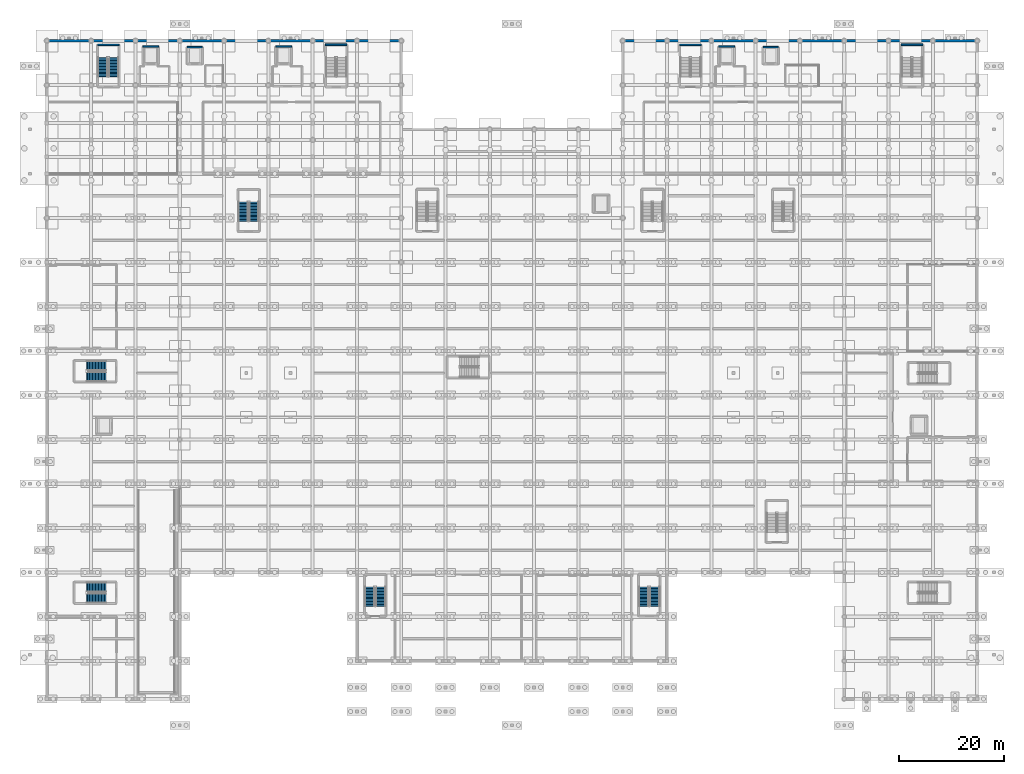
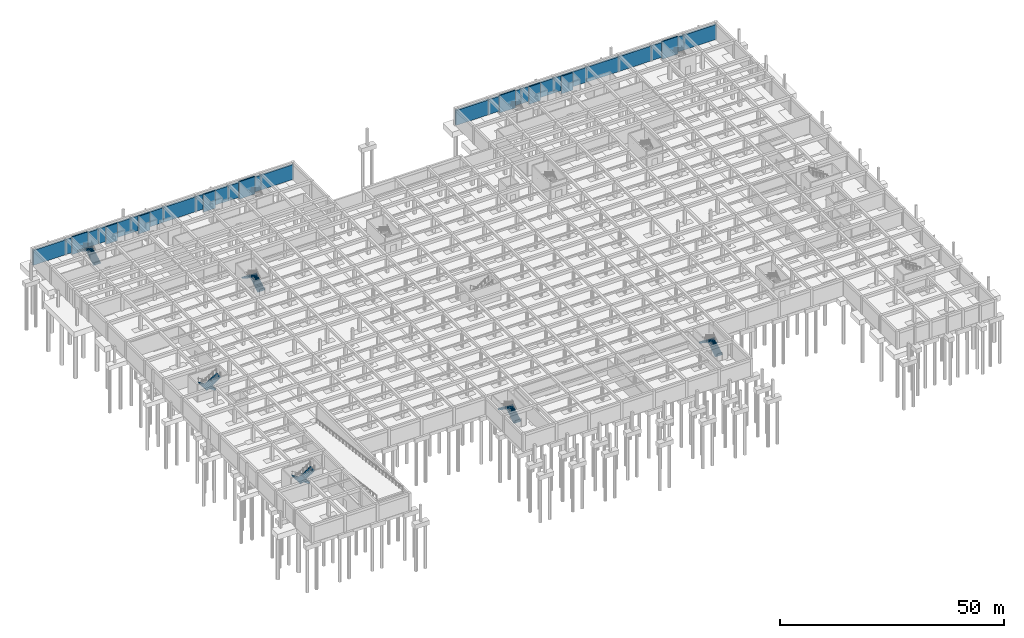
# One storey, part 31 of 51: 25 walls, 12 stair flights, 6 elements without a shape of their own.
"""IFC4 building model written with IfcOpenShell, lengths in metres."""

from ifc_helpers import new_model, si_unit, direction, frame, frame_2d, origin, place, context, subcontext, project, spatial, polyline, rectangle, outline, extrude, material, layer, layer_set, type_object, element, aggregate, save


model = new_model("IFC4")

# Units and contexts
model_context = context("Model", 3, precision=1e-05, world=origin(), true_north=direction((0.0, 1.0)))
body_context = subcontext(model_context, "Body", "Model", "MODEL_VIEW")
ifc_project = project(units=[si_unit("LENGTHUNIT", "METRE"), si_unit("AREAUNIT", "SQUARE_METRE"), si_unit("VOLUMEUNIT", "CUBIC_METRE"), si_unit("PLANEANGLEUNIT", "RADIAN"), si_unit("MASSUNIT", "GRAM", prefix="KILO")], contexts=[model_context])

# Site, building, storey
site_placement = place(None, origin())
site = spatial("IfcSite", under=ifc_project, at=site_placement, CompositionType="ELEMENT")
building_placement = place(site_placement, origin())
building = spatial("IfcBuilding", under=site, at=building_placement, Name="Varncliffe General Hospital", CompositionType="ELEMENT")
storey_placement = place(building_placement, frame((0.0, 0.0, -4.800048828125)))
storey = spatial("IfcBuildingStorey", under=building, at=storey_placement, Name="B1", CompositionType="ELEMENT", Elevation=-4.800048828125)

# Walls
ifc_material_1 = material(Name="Concrete C40/50 (CSA A23.1 40 MPa)", Category="concrete")
ifc_layer_1 = layer(ifc_material_1, 0.419921875)
ifc_layer_set_1 = layer_set([ifc_layer_1], Name="Concrete C40/50 (CSA A23.1 40 MPa)")
wall_type_1 = type_object("IfcWallType", Name="Exterior Insulated Stucco Wall EW28 (420mm)", PredefinedType="SOLIDWALL", material=ifc_layer_set_1)
wall_1_placement = place(storey_placement, frame((0.0, 124.800048828125, 0.0), z_axis=(0.0, 0.0, 1.0), x_axis=(1.0, 0.0, 0.0)))
element("IfcWall", 1, at=wall_1_placement, inside=storey, type_object=wall_type_1, Name="B1 Perimeter Retaining Wall 11", PredefinedType="SOLIDWALL", context=body_context, shape_type="SweptSolid", body=[
    extrude(rectangle(XDim=8.39990234375, YDim=0.419921875, at=frame_2d((4.199951171875, 0.0))), origin(), (0.0, 0.0, 1.0), 4.050048828125),
])
wall_2_placement = place(storey_placement, frame((8.39990234375, 124.800048828125, 0.0), z_axis=(0.0, 0.0, 1.0), x_axis=(1.0, 0.0, 0.0)))
element("IfcWall", 2, at=wall_2_placement, inside=storey, type_object=wall_type_1, Name="B1 Perimeter Retaining Wall 12", PredefinedType="SOLIDWALL", context=body_context, shape_type="SweptSolid", body=[
    extrude(rectangle(XDim=8.400146484375, YDim=0.419921875, at=frame_2d((4.2001953125, 0.0))), origin(), (0.0, 0.0, 1.0), 4.050048828125),
])
wall_3_placement = place(storey_placement, frame((16.800048828125, 124.800048828125, 0.0), z_axis=(0.0, 0.0, 1.0), x_axis=(1.0, 0.0, 0.0)))
element("IfcWall", 3, at=wall_3_placement, inside=storey, type_object=wall_type_1, Name="B1 Perimeter Retaining Wall 13", PredefinedType="SOLIDWALL", context=body_context, shape_type="SweptSolid", body=[
    extrude(rectangle(XDim=8.39990234375, YDim=0.419921875, at=frame_2d((4.199951171875, 0.0))), origin(), (0.0, 0.0, 1.0), 4.050048828125),
])
wall_4_placement = place(storey_placement, frame((25.199951171875, 124.800048828125, 0.0), z_axis=(0.0, 0.0, 1.0), x_axis=(1.0, 0.0, 0.0)))
element("IfcWall", 4, at=wall_4_placement, inside=storey, type_object=wall_type_1, Name="B1 Perimeter Retaining Wall 14", PredefinedType="SOLIDWALL", context=body_context, shape_type="SweptSolid", body=[
    extrude(rectangle(XDim=8.400146484375, YDim=0.419921875, at=frame_2d((4.2001953125, 0.0))), origin(), (0.0, 0.0, 1.0), 4.050048828125),
])
for number, where, z_axis, x_axis, name in (
    (5, (33.60009765625, 124.800048828125, 0.0), (0.0, 0.0, 1.0), (1.0, 0.0, 0.0), "B1 Perimeter Retaining Wall 15"),
    (6, (42.0, 124.800048828125, 0.0), (0.0, 0.0, 1.0), (1.0, 0.0, 0.0), "B1 Perimeter Retaining Wall 16"),
):
    element("IfcWall", number, at=place(storey_placement, frame(where, z_axis=z_axis, x_axis=x_axis)), inside=storey, type_object=wall_type_1, Name=name, PredefinedType="SOLIDWALL", context=body_context, shape_type="SweptSolid", body=[
        extrude(rectangle(XDim=8.39990234375, YDim=0.419921875, at=frame_2d((4.199951171875, 0.0))), origin(), (0.0, 0.0, 1.0), 4.050048828125),
    ])
wall_5_placement = place(storey_placement, frame((50.39990234375, 124.800048828125, 0.0), z_axis=(0.0, 0.0, 1.0), x_axis=(1.0, 0.0, 0.0)))
element("IfcWall", 7, at=wall_5_placement, inside=storey, type_object=wall_type_1, Name="B1 Perimeter Retaining Wall 17", PredefinedType="SOLIDWALL", context=body_context, shape_type="SweptSolid", body=[
    extrude(rectangle(XDim=8.400146484375, YDim=0.419921875, at=frame_2d((4.2001953125, 0.0))), origin(), (0.0, 0.0, 1.0), 4.050048828125),
])
wall_6_placement = place(storey_placement, frame((58.800048828125, 124.800048828125, 0.0), z_axis=(0.0, 0.0, 1.0), x_axis=(1.0, 0.0, 0.0)))
element("IfcWall", 8, at=wall_6_placement, inside=storey, type_object=wall_type_1, Name="B1 Perimeter Retaining Wall 18", PredefinedType="SOLIDWALL", context=body_context, shape_type="SweptSolid", body=[
    extrude(rectangle(XDim=8.39990234375, YDim=0.419921875, at=frame_2d((4.199951171875, 0.0))), origin(), (0.0, 0.0, 1.0), 4.050048828125),
])
wall_7_placement = place(storey_placement, frame((109.199951171875, 124.800048828125, 0.0), z_axis=(0.0, 0.0, 1.0), x_axis=(1.0, 0.0, 0.0)))
element("IfcWall", 9, at=wall_7_placement, inside=storey, type_object=wall_type_1, Name="B1 Perimeter Retaining Wall 28", PredefinedType="SOLIDWALL", context=body_context, shape_type="SweptSolid", body=[
    extrude(rectangle(XDim=8.400146484375, YDim=0.419921875, at=frame_2d((4.2001953125, 0.0))), origin(), (0.0, 0.0, 1.0), 4.050048828125),
])
for number, where, z_axis, x_axis, name in (
    (10, (117.60009765625, 124.800048828125, 0.0), (0.0, 0.0, 1.0), (1.0, 0.0, 0.0), "B1 Perimeter Retaining Wall 29"),
    (11, (126.0, 124.800048828125, 0.0), (0.0, 0.0, 1.0), (1.0, 0.0, 0.0), "B1 Perimeter Retaining Wall 30"),
):
    element("IfcWall", number, at=place(storey_placement, frame(where, z_axis=z_axis, x_axis=x_axis)), inside=storey, type_object=wall_type_1, Name=name, PredefinedType="SOLIDWALL", context=body_context, shape_type="SweptSolid", body=[
        extrude(rectangle(XDim=8.39990234375, YDim=0.419921875, at=frame_2d((4.199951171875, 0.0))), origin(), (0.0, 0.0, 1.0), 4.050048828125),
    ])
wall_8_placement = place(storey_placement, frame((134.39990234375, 124.800048828125, 0.0), z_axis=(0.0, 0.0, 1.0), x_axis=(1.0, 0.0, 0.0)))
element("IfcWall", 12, at=wall_8_placement, inside=storey, type_object=wall_type_1, Name="B1 Perimeter Retaining Wall 31", PredefinedType="SOLIDWALL", context=body_context, shape_type="SweptSolid", body=[
    extrude(rectangle(XDim=8.400146484375, YDim=0.419921875, at=frame_2d((4.2001953125, 0.0))), origin(), (0.0, 0.0, 1.0), 4.050048828125),
])
wall_9_placement = place(storey_placement, frame((142.800048828125, 124.800048828125, 0.0), z_axis=(0.0, 0.0, 1.0), x_axis=(1.0, 0.0, 0.0)))
element("IfcWall", 13, at=wall_9_placement, inside=storey, type_object=wall_type_1, Name="B1 Perimeter Retaining Wall 32", PredefinedType="SOLIDWALL", context=body_context, shape_type="SweptSolid", body=[
    extrude(rectangle(XDim=8.39990234375, YDim=0.419921875, at=frame_2d((4.199951171875, 0.0))), origin(), (0.0, 0.0, 1.0), 4.050048828125),
])
wall_10_placement = place(storey_placement, frame((151.199951171875, 124.800048828125, 0.0), z_axis=(0.0, 0.0, 1.0), x_axis=(1.0, 0.0, 0.0)))
element("IfcWall", 14, at=wall_10_placement, inside=storey, type_object=wall_type_1, Name="B1 Perimeter Retaining Wall 33", PredefinedType="SOLIDWALL", context=body_context, shape_type="SweptSolid", body=[
    extrude(rectangle(XDim=8.400146484375, YDim=0.419921875, at=frame_2d((4.2001953125, 0.0))), origin(), (0.0, 0.0, 1.0), 4.050048828125),
])
for number, where, z_axis, x_axis, name in (
    (15, (159.60009765625, 124.800048828125, 0.0), (0.0, 0.0, 1.0), (1.0, 0.0, 0.0), "B1 Perimeter Retaining Wall 34"),
    (16, (168.0, 124.800048828125, 0.0), (0.0, 0.0, 1.0), (1.0, 0.0, 0.0), "B1 Perimeter Retaining Wall 35"),
):
    element("IfcWall", number, at=place(storey_placement, frame(where, z_axis=z_axis, x_axis=x_axis)), inside=storey, type_object=wall_type_1, Name=name, PredefinedType="SOLIDWALL", context=body_context, shape_type="SweptSolid", body=[
        extrude(rectangle(XDim=8.39990234375, YDim=0.419921875, at=frame_2d((4.199951171875, 0.0))), origin(), (0.0, 0.0, 1.0), 4.050048828125),
    ])
ifc_layer_2 = layer(ifc_material_1, 0.300048828125)
ifc_layer_set_2 = layer_set([ifc_layer_2], Name="Concrete C40/50 (CSA A23.1 40 MPa)")
wall_type_2 = type_object("IfcWallType", Name="Reinforced Concrete Core Shear Wall CW12 (300mm)", PredefinedType="SHEAR", material=ifc_layer_set_2)
wall_11_placement = place(storey_placement, frame((56.89990234375, 124.050048828125, 0.0), z_axis=(0.0, 0.0, 1.0), x_axis=(-1.0, 0.0, 0.0)))
element("IfcWall", 17, at=wall_11_placement, inside=storey, type_object=wall_type_2, Name="B1 ST02 Core Shear Wall F", PredefinedType="SHEAR", context=body_context, shape_type="SweptSolid", body=[
    extrude(rectangle(XDim=4.099853515625, YDim=0.300048828125, at=frame_2d((2.0498046875, 0.0))), origin(), (0.0, 0.0, 1.0), 4.800048828125),
])
wall_12_placement = place(storey_placement, frame((166.10009765625, 124.050048828125, 0.0), z_axis=(0.0, 0.0, 1.0), x_axis=(-1.0, 0.0, 0.0)))
element("IfcWall", 18, at=wall_12_placement, inside=storey, type_object=wall_type_2, Name="B1 ST04 Core Shear Wall F", PredefinedType="SHEAR", context=body_context, shape_type="SweptSolid", body=[
    extrude(rectangle(XDim=4.10009765625, YDim=0.300048828125, at=frame_2d((2.050048828125, 0.0))), origin(), (0.0, 0.0, 1.0), 4.800048828125),
])
for number, where, z_axis, x_axis, name in (
    (19, (21.199951171875, 123.699951171875, 0.0), (0.0, 0.0, 1.0), (-1.0, 0.0, 0.0), "B1 LF01 Elevator Shaft Wall North"),
    (20, (46.39990234375, 123.699951171875, 0.0), (0.0, 0.0, 1.0), (-1.0, 0.0, 0.0), "B1 LF02 Elevator Shaft Wall North"),
    (21, (130.39990234375, 123.699951171875, 0.0), (0.0, 0.0, 1.0), (-1.0, 0.0, 0.0), "B1 LF03 Elevator Shaft Wall North"),
):
    element("IfcWall", number, at=place(storey_placement, frame(where, z_axis=z_axis, x_axis=x_axis)), inside=storey, type_object=wall_type_2, Name=name, PredefinedType="SHEAR", context=body_context, shape_type="SweptSolid", body=[
        extrude(rectangle(XDim=3.0, YDim=0.300048828125, at=frame_2d((1.5, 0.0))), origin(), (0.0, 0.0, 1.0), 4.800048828125),
    ])
for number, where, z_axis, x_axis, name in (
    (22, (29.5, 123.60009765625, 0.0), (0.0, 0.0, 1.0), (-1.0, 0.0, 0.0), "B1 LF04 Elevator Shaft Wall North"),
    (23, (138.699951171875, 123.60009765625, 0.0), (0.0, 0.0, 1.0), (-1.0, 0.0, 0.0), "B1 LF05 Elevator Shaft Wall North"),
):
    element("IfcWall", number, at=place(storey_placement, frame(where, z_axis=z_axis, x_axis=x_axis)), inside=storey, type_object=wall_type_2, Name=name, PredefinedType="SHEAR", context=body_context, shape_type="SweptSolid", body=[
        extrude(rectangle(XDim=2.89990234375, YDim=0.300048828125, at=frame_2d((1.449951171875, 0.0))), origin(), (0.0, 0.0, 1.0), 4.800048828125),
    ])
ifc_layer_3 = layer(ifc_material_1, 0.280029296875)
ifc_layer_set_3 = layer_set([ifc_layer_3], Name="Concrete C40/50 (CSA A23.1 40 MPa)")
wall_type_3 = type_object("IfcWallType", Name="Reinforced Concrete Core Shear Wall CW13 (280mm)", PredefinedType="SHEAR", material=ifc_layer_set_3)
wall_13_placement = place(storey_placement, frame((13.68994140625, 124.0400390625, 0.0), z_axis=(0.0, 0.0, 1.0), x_axis=(-1.0, 0.0, 0.0)))
element("IfcWall", 24, at=wall_13_placement, inside=storey, type_object=wall_type_3, Name="B1 ST01 Core Shear Wall F", PredefinedType="SHEAR", context=body_context, shape_type="SweptSolid", body=[
    extrude(rectangle(XDim=4.079833984375, YDim=0.280029296875, at=frame_2d((2.0400390625, 0.0))), origin(), (0.0, 0.0, 1.0), 4.800048828125),
])
wall_14_placement = place(storey_placement, frame((124.090087890625, 124.0400390625, 0.0), z_axis=(0.0, 0.0, 1.0), x_axis=(-1.0, 0.0, 0.0)))
element("IfcWall", 25, at=wall_14_placement, inside=storey, type_object=wall_type_3, Name="B1 ST03 Core Shear Wall F", PredefinedType="SHEAR", context=body_context, shape_type="SweptSolid", body=[
    extrude(rectangle(XDim=4.080078125, YDim=0.280029296875, at=frame_2d((2.0400390625, 0.0))), origin(), (0.0, 0.0, 1.0), 4.800048828125),
])

# Stair, stair flights
ifc_material_2 = material(Name="Concrete C35/45 (CSA A23.1 35 MPa)", Category="concrete")
stair_type = type_object("IfcStairType", Name="Hospital Stair Assembly ST-T01 (1850w-4800h)", PredefinedType="TWO_STRAIGHT_RUN_STAIR", material=ifc_material_2)
stair_1_placement = place(storey_placement, origin())
stair_1 = element("IfcStair", 26, at=stair_1_placement, inside=storey, type_object=stair_type, Name="B1 North-West Ward Exit Stair 1", PredefinedType="TWO_STRAIGHT_RUN_STAIR")
stair_flight_type = type_object("IfcStairFlightType", Name="Hospital Stair Flight FL-T01 (1850w-4800h)", PredefinedType="STRAIGHT", material=ifc_material_2)
stair_flight_1_placement = place(storey_placement, frame((12.675048828125, 118.0, 0.0), z_axis=(0.0, 0.0, 1.0), x_axis=(0.0, 1.0, 0.0)))
stair_flight_1 = element("IfcStairFlight", 27, at=stair_flight_1_placement, type_object=stair_flight_type, Name="ST01 flight 1", NumberOfRisers=14, NumberOfTreads=13, PredefinedType="STRAIGHT", RiserHeight=0.171428571, TreadLength=0.28, context=body_context, shape_type="SweptSolid", body=[
    extrude(outline(polyline([(-0.02490234375, -0.14990234375), (-0.02490234375, 0.0), (0.0, 0.0), (0.0, 0.17138671875), (0.280029296875, 0.17138671875), (0.280029296875, 0.3427734375), (0.56005859375, 0.3427734375), (0.56005859375, 0.514404296875), (0.840087890625, 0.514404296875), (0.840087890625, 0.685791015625), (1.1201171875, 0.685791015625), (1.1201171875, 0.857177734375), (1.39990234375, 0.857177734375), (1.39990234375, 1.028564453125), (1.679931640625, 1.028564453125), (1.679931640625, 1.199951171875), (1.9599609375, 1.199951171875), (1.9599609375, 1.371337890625), (2.239990234375, 1.371337890625), (2.239990234375, 1.54296875), (2.52001953125, 1.54296875), (2.52001953125, 1.71435546875), (2.800048828125, 1.71435546875), (2.800048828125, 1.8857421875), (3.080078125, 1.8857421875), (3.080078125, 2.05712890625), (3.360107421875, 2.05712890625), (3.360107421875, 2.228515625), (3.639892578125, 2.228515625), (3.639892578125, 2.39990234375), (3.664794921875, 2.39990234375), (3.664794921875, 2.25), (3.639892578125, 2.052734375), (0.287109375, -0.14990234375), (-0.02490234375, -0.14990234375)])), frame((0.0, 0.925048828125, 0.0), z_axis=(0.0, -1.0, 0.0), x_axis=(1.0, 0.0, 0.0)), (0.0, 0.0, 1.0), 1.85009765625),
])
stair_flight_2_placement = place(storey_placement, frame((10.625, 121.639892578125, 2.400146484375), z_axis=(0.0, 0.0, 1.0), x_axis=(0.0, -1.0, 0.0)))
stair_flight_2 = element("IfcStairFlight", 28, at=stair_flight_2_placement, type_object=stair_flight_type, Name="ST01 flight 2", NumberOfRisers=14, NumberOfTreads=13, PredefinedType="STRAIGHT", RiserHeight=0.171428571, TreadLength=0.28, context=body_context, shape_type="SweptSolid", body=[
    extrude(outline(polyline([(-0.02490234375, -0.14990234375), (-0.02490234375, 0.0), (0.0, 0.0), (0.0, 0.17138671875), (0.280029296875, 0.17138671875), (0.280029296875, 0.3427734375), (0.56005859375, 0.3427734375), (0.56005859375, 0.514404296875), (0.840087890625, 0.514404296875), (0.840087890625, 0.685791015625), (1.1201171875, 0.685791015625), (1.1201171875, 0.857177734375), (1.39990234375, 0.857177734375), (1.39990234375, 1.028564453125), (1.679931640625, 1.028564453125), (1.679931640625, 1.199951171875), (1.9599609375, 1.199951171875), (1.9599609375, 1.371337890625), (2.239990234375, 1.371337890625), (2.239990234375, 1.54296875), (2.52001953125, 1.54296875), (2.52001953125, 1.71435546875), (2.800048828125, 1.71435546875), (2.800048828125, 1.8857421875), (3.080078125, 1.8857421875), (3.080078125, 2.05712890625), (3.360107421875, 2.05712890625), (3.360107421875, 2.228515625), (3.639892578125, 2.228515625), (3.639892578125, 2.39990234375), (3.664794921875, 2.39990234375), (3.664794921875, 2.25), (3.639892578125, 2.052734375), (0.287109375, -0.14990234375), (-0.02490234375, -0.14990234375)])), frame((0.0, 0.925048828125, 0.0), z_axis=(0.0, -1.0, 0.0), x_axis=(1.0, 0.0, 0.0)), (0.0, 0.0, 1.0), 1.85009765625),
])
aggregate(stair_1, [stair_flight_1, stair_flight_2])

stair_2_placement = place(storey_placement, origin())
stair_2 = element("IfcStair", 29, at=stair_2_placement, inside=storey, type_object=stair_type, Name="B1 Diagnostic West Exit Stair 5", PredefinedType="TWO_STRAIGHT_RUN_STAIR")
stair_flight_3_placement = place(storey_placement, frame((11.199951171875, 63.175048828125, 0.0), z_axis=(0.0, 0.0, 1.0), x_axis=(-1.0, 0.0, 0.0)))
stair_flight_3 = element("IfcStairFlight", 30, at=stair_flight_3_placement, type_object=stair_flight_type, Name="ST05 flight 1", NumberOfRisers=14, NumberOfTreads=13, PredefinedType="STRAIGHT", RiserHeight=0.171428571, TreadLength=0.28, context=body_context, shape_type="SweptSolid", body=[
    extrude(outline(polyline([(-0.02490234375, -0.14990234375), (-0.02490234375, 0.0), (0.0, 0.0), (0.0, 0.17138671875), (0.280029296875, 0.17138671875), (0.280029296875, 0.3427734375), (0.56005859375, 0.3427734375), (0.56005859375, 0.514404296875), (0.840087890625, 0.514404296875), (0.840087890625, 0.685791015625), (1.1201171875, 0.685791015625), (1.1201171875, 0.857177734375), (1.39990234375, 0.857177734375), (1.39990234375, 1.028564453125), (1.679931640625, 1.028564453125), (1.679931640625, 1.199951171875), (1.9599609375, 1.199951171875), (1.9599609375, 1.371337890625), (2.239990234375, 1.371337890625), (2.239990234375, 1.54296875), (2.52001953125, 1.54296875), (2.52001953125, 1.71435546875), (2.800048828125, 1.71435546875), (2.800048828125, 1.8857421875), (3.080078125, 1.8857421875), (3.080078125, 2.05712890625), (3.360107421875, 2.05712890625), (3.360107421875, 2.228515625), (3.639892578125, 2.228515625), (3.639892578125, 2.39990234375), (3.664794921875, 2.39990234375), (3.664794921875, 2.25), (3.639892578125, 2.052734375), (0.287109375, -0.14990234375), (-0.02490234375, -0.14990234375)])), frame((0.0, 0.925048828125, 0.0), z_axis=(0.0, -1.0, 0.0), x_axis=(1.0, 0.0, 0.0)), (0.0, 0.0, 1.0), 1.85009765625),
])
stair_flight_4_placement = place(storey_placement, frame((7.56005859375, 61.125, 2.400146484375), z_axis=(0.0, 0.0, 1.0), x_axis=(1.0, 0.0, 0.0)))
stair_flight_4 = element("IfcStairFlight", 31, at=stair_flight_4_placement, type_object=stair_flight_type, Name="ST05 flight 2", NumberOfRisers=14, NumberOfTreads=13, PredefinedType="STRAIGHT", RiserHeight=0.171428571, TreadLength=0.28, context=body_context, shape_type="SweptSolid", body=[
    extrude(outline(polyline([(-0.02490234375, -0.14990234375), (-0.02490234375, 0.0), (0.0, 0.0), (0.0, 0.17138671875), (0.280029296875, 0.17138671875), (0.280029296875, 0.3427734375), (0.56005859375, 0.3427734375), (0.56005859375, 0.514404296875), (0.840087890625, 0.514404296875), (0.840087890625, 0.685791015625), (1.1201171875, 0.685791015625), (1.1201171875, 0.857177734375), (1.39990234375, 0.857177734375), (1.39990234375, 1.028564453125), (1.679931640625, 1.028564453125), (1.679931640625, 1.199951171875), (1.9599609375, 1.199951171875), (1.9599609375, 1.371337890625), (2.239990234375, 1.371337890625), (2.239990234375, 1.54296875), (2.52001953125, 1.54296875), (2.52001953125, 1.71435546875), (2.800048828125, 1.71435546875), (2.800048828125, 1.8857421875), (3.080078125, 1.8857421875), (3.080078125, 2.05712890625), (3.360107421875, 2.05712890625), (3.360107421875, 2.228515625), (3.639892578125, 2.228515625), (3.639892578125, 2.39990234375), (3.664794921875, 2.39990234375), (3.664794921875, 2.25), (3.639892578125, 2.052734375), (0.287109375, -0.14990234375), (-0.02490234375, -0.14990234375)])), frame((0.0, 0.925048828125, 0.0), z_axis=(0.0, -1.0, 0.0), x_axis=(1.0, 0.0, 0.0)), (0.0, 0.0, 1.0), 1.85009765625),
])
aggregate(stair_2, [stair_flight_3, stair_flight_4])

stair_3_placement = place(storey_placement, origin())
stair_3 = element("IfcStair", 32, at=stair_3_placement, inside=storey, type_object=stair_type, Name="B1 Emergency South-West Exit Stair 8", PredefinedType="TWO_STRAIGHT_RUN_STAIR")
stair_flight_5_placement = place(storey_placement, frame((11.199951171875, 21.175048828125, 0.0), z_axis=(0.0, 0.0, 1.0), x_axis=(-1.0, 0.0, 0.0)))
stair_flight_5 = element("IfcStairFlight", 33, at=stair_flight_5_placement, type_object=stair_flight_type, Name="ST08 flight 1", NumberOfRisers=14, NumberOfTreads=13, PredefinedType="STRAIGHT", RiserHeight=0.171428571, TreadLength=0.28, context=body_context, shape_type="SweptSolid", body=[
    extrude(outline(polyline([(-0.02490234375, -0.14990234375), (-0.02490234375, 0.0), (0.0, 0.0), (0.0, 0.17138671875), (0.280029296875, 0.17138671875), (0.280029296875, 0.3427734375), (0.56005859375, 0.3427734375), (0.56005859375, 0.514404296875), (0.840087890625, 0.514404296875), (0.840087890625, 0.685791015625), (1.1201171875, 0.685791015625), (1.1201171875, 0.857177734375), (1.39990234375, 0.857177734375), (1.39990234375, 1.028564453125), (1.679931640625, 1.028564453125), (1.679931640625, 1.199951171875), (1.9599609375, 1.199951171875), (1.9599609375, 1.371337890625), (2.239990234375, 1.371337890625), (2.239990234375, 1.54296875), (2.52001953125, 1.54296875), (2.52001953125, 1.71435546875), (2.800048828125, 1.71435546875), (2.800048828125, 1.8857421875), (3.080078125, 1.8857421875), (3.080078125, 2.05712890625), (3.360107421875, 2.05712890625), (3.360107421875, 2.228515625), (3.639892578125, 2.228515625), (3.639892578125, 2.39990234375), (3.664794921875, 2.39990234375), (3.664794921875, 2.25), (3.639892578125, 2.052734375), (0.287109375, -0.14990234375), (-0.02490234375, -0.14990234375)])), frame((0.0, 0.925048828125, 0.0), z_axis=(0.0, -1.0, 0.0), x_axis=(1.0, 0.0, 0.0)), (0.0, 0.0, 1.0), 1.85009765625),
])
stair_flight_6_placement = place(storey_placement, frame((7.56005859375, 19.125, 2.400146484375), z_axis=(0.0, 0.0, 1.0), x_axis=(1.0, 0.0, 0.0)))
stair_flight_6 = element("IfcStairFlight", 34, at=stair_flight_6_placement, type_object=stair_flight_type, Name="ST08 flight 2", NumberOfRisers=14, NumberOfTreads=13, PredefinedType="STRAIGHT", RiserHeight=0.171428571, TreadLength=0.28, context=body_context, shape_type="SweptSolid", body=[
    extrude(outline(polyline([(-0.02490234375, -0.14990234375), (-0.02490234375, 0.0), (0.0, 0.0), (0.0, 0.17138671875), (0.280029296875, 0.17138671875), (0.280029296875, 0.3427734375), (0.56005859375, 0.3427734375), (0.56005859375, 0.514404296875), (0.840087890625, 0.514404296875), (0.840087890625, 0.685791015625), (1.1201171875, 0.685791015625), (1.1201171875, 0.857177734375), (1.39990234375, 0.857177734375), (1.39990234375, 1.028564453125), (1.679931640625, 1.028564453125), (1.679931640625, 1.199951171875), (1.9599609375, 1.199951171875), (1.9599609375, 1.371337890625), (2.239990234375, 1.371337890625), (2.239990234375, 1.54296875), (2.52001953125, 1.54296875), (2.52001953125, 1.71435546875), (2.800048828125, 1.71435546875), (2.800048828125, 1.8857421875), (3.080078125, 1.8857421875), (3.080078125, 2.05712890625), (3.360107421875, 2.05712890625), (3.360107421875, 2.228515625), (3.639892578125, 2.228515625), (3.639892578125, 2.39990234375), (3.664794921875, 2.39990234375), (3.664794921875, 2.25), (3.639892578125, 2.052734375), (0.287109375, -0.14990234375), (-0.02490234375, -0.14990234375)])), frame((0.0, 0.925048828125, 0.0), z_axis=(0.0, -1.0, 0.0), x_axis=(1.0, 0.0, 0.0)), (0.0, 0.0, 1.0), 1.85009765625),
])
aggregate(stair_3, [stair_flight_5, stair_flight_6])

stair_4_placement = place(storey_placement, origin())
stair_4 = element("IfcStair", 35, at=stair_4_placement, inside=storey, type_object=stair_type, Name="B1 Main Pavilion South-West Exit Stair 9", PredefinedType="TWO_STRAIGHT_RUN_STAIR")
stair_flight_7_placement = place(storey_placement, frame((63.27490234375, 17.60009765625, 0.0), z_axis=(0.0, 0.0, 1.0), x_axis=(0.0, 1.0, 0.0)))
stair_flight_7 = element("IfcStairFlight", 36, at=stair_flight_7_placement, type_object=stair_flight_type, Name="ST09 flight 1", NumberOfRisers=14, NumberOfTreads=13, PredefinedType="STRAIGHT", RiserHeight=0.171428571, TreadLength=0.28, context=body_context, shape_type="SweptSolid", body=[
    extrude(outline(polyline([(-0.02490234375, -0.14990234375), (-0.02490234375, 0.0), (0.0, 0.0), (0.0, 0.17138671875), (0.280029296875, 0.17138671875), (0.280029296875, 0.3427734375), (0.56005859375, 0.3427734375), (0.56005859375, 0.514404296875), (0.840087890625, 0.514404296875), (0.840087890625, 0.685791015625), (1.1201171875, 0.685791015625), (1.1201171875, 0.857177734375), (1.39990234375, 0.857177734375), (1.39990234375, 1.028564453125), (1.679931640625, 1.028564453125), (1.679931640625, 1.199951171875), (1.9599609375, 1.199951171875), (1.9599609375, 1.371337890625), (2.239990234375, 1.371337890625), (2.239990234375, 1.54296875), (2.52001953125, 1.54296875), (2.52001953125, 1.71435546875), (2.800048828125, 1.71435546875), (2.800048828125, 1.8857421875), (3.080078125, 1.8857421875), (3.080078125, 2.05712890625), (3.360107421875, 2.05712890625), (3.360107421875, 2.228515625), (3.639892578125, 2.228515625), (3.639892578125, 2.39990234375), (3.664794921875, 2.39990234375), (3.664794921875, 2.25), (3.639892578125, 2.052734375), (0.287109375, -0.14990234375), (-0.02490234375, -0.14990234375)])), frame((0.0, 0.925048828125, 0.0), z_axis=(0.0, -1.0, 0.0), x_axis=(1.0, 0.0, 0.0)), (0.0, 0.0, 1.0), 1.85009765625),
])
stair_flight_8_placement = place(storey_placement, frame((61.22509765625, 21.239990234375, 2.400146484375), z_axis=(0.0, 0.0, 1.0), x_axis=(0.0, -1.0, 0.0)))
stair_flight_8 = element("IfcStairFlight", 37, at=stair_flight_8_placement, type_object=stair_flight_type, Name="ST09 flight 2", NumberOfRisers=14, NumberOfTreads=13, PredefinedType="STRAIGHT", RiserHeight=0.171428571, TreadLength=0.28, context=body_context, shape_type="SweptSolid", body=[
    extrude(outline(polyline([(-0.02490234375, -0.14990234375), (-0.02490234375, 0.0), (0.0, 0.0), (0.0, 0.17138671875), (0.280029296875, 0.17138671875), (0.280029296875, 0.3427734375), (0.56005859375, 0.3427734375), (0.56005859375, 0.514404296875), (0.840087890625, 0.514404296875), (0.840087890625, 0.685791015625), (1.1201171875, 0.685791015625), (1.1201171875, 0.857177734375), (1.39990234375, 0.857177734375), (1.39990234375, 1.028564453125), (1.679931640625, 1.028564453125), (1.679931640625, 1.199951171875), (1.9599609375, 1.199951171875), (1.9599609375, 1.371337890625), (2.239990234375, 1.371337890625), (2.239990234375, 1.54296875), (2.52001953125, 1.54296875), (2.52001953125, 1.71435546875), (2.800048828125, 1.71435546875), (2.800048828125, 1.8857421875), (3.080078125, 1.8857421875), (3.080078125, 2.05712890625), (3.360107421875, 2.05712890625), (3.360107421875, 2.228515625), (3.639892578125, 2.228515625), (3.639892578125, 2.39990234375), (3.664794921875, 2.39990234375), (3.664794921875, 2.25), (3.639892578125, 2.052734375), (0.287109375, -0.14990234375), (-0.02490234375, -0.14990234375)])), frame((0.0, 0.925048828125, 0.0), z_axis=(0.0, -1.0, 0.0), x_axis=(1.0, 0.0, 0.0)), (0.0, 0.0, 1.0), 1.85009765625),
])
aggregate(stair_4, [stair_flight_7, stair_flight_8])

stair_5_placement = place(storey_placement, origin())
stair_5 = element("IfcStair", 38, at=stair_5_placement, inside=storey, type_object=stair_type, Name="B1 Main Pavilion South-East Exit Stair 10", PredefinedType="TWO_STRAIGHT_RUN_STAIR")
stair_flight_9_placement = place(storey_placement, frame((115.27490234375, 17.60009765625, 0.0), z_axis=(0.0, 0.0, 1.0), x_axis=(0.0, 1.0, 0.0)))
stair_flight_9 = element("IfcStairFlight", 39, at=stair_flight_9_placement, type_object=stair_flight_type, Name="ST10 flight 1", NumberOfRisers=14, NumberOfTreads=13, PredefinedType="STRAIGHT", RiserHeight=0.171428571, TreadLength=0.28, context=body_context, shape_type="SweptSolid", body=[
    extrude(outline(polyline([(-0.02490234375, -0.14990234375), (-0.02490234375, 0.0), (0.0, 0.0), (0.0, 0.17138671875), (0.280029296875, 0.17138671875), (0.280029296875, 0.3427734375), (0.56005859375, 0.3427734375), (0.56005859375, 0.514404296875), (0.840087890625, 0.514404296875), (0.840087890625, 0.685791015625), (1.1201171875, 0.685791015625), (1.1201171875, 0.857177734375), (1.39990234375, 0.857177734375), (1.39990234375, 1.028564453125), (1.679931640625, 1.028564453125), (1.679931640625, 1.199951171875), (1.9599609375, 1.199951171875), (1.9599609375, 1.371337890625), (2.239990234375, 1.371337890625), (2.239990234375, 1.54296875), (2.52001953125, 1.54296875), (2.52001953125, 1.71435546875), (2.800048828125, 1.71435546875), (2.800048828125, 1.8857421875), (3.080078125, 1.8857421875), (3.080078125, 2.05712890625), (3.360107421875, 2.05712890625), (3.360107421875, 2.228515625), (3.639892578125, 2.228515625), (3.639892578125, 2.39990234375), (3.664794921875, 2.39990234375), (3.664794921875, 2.25), (3.639892578125, 2.052734375), (0.287109375, -0.14990234375), (-0.02490234375, -0.14990234375)])), frame((0.0, 0.925048828125, 0.0), z_axis=(0.0, -1.0, 0.0), x_axis=(1.0, 0.0, 0.0)), (0.0, 0.0, 1.0), 1.85009765625),
])
stair_flight_10_placement = place(storey_placement, frame((113.22509765625, 21.239990234375, 2.400146484375), z_axis=(0.0, 0.0, 1.0), x_axis=(0.0, -1.0, 0.0)))
stair_flight_10 = element("IfcStairFlight", 40, at=stair_flight_10_placement, type_object=stair_flight_type, Name="ST10 flight 2", NumberOfRisers=14, NumberOfTreads=13, PredefinedType="STRAIGHT", RiserHeight=0.171428571, TreadLength=0.28, context=body_context, shape_type="SweptSolid", body=[
    extrude(outline(polyline([(-0.02490234375, -0.14990234375), (-0.02490234375, 0.0), (0.0, 0.0), (0.0, 0.17138671875), (0.280029296875, 0.17138671875), (0.280029296875, 0.3427734375), (0.56005859375, 0.3427734375), (0.56005859375, 0.514404296875), (0.840087890625, 0.514404296875), (0.840087890625, 0.685791015625), (1.1201171875, 0.685791015625), (1.1201171875, 0.857177734375), (1.39990234375, 0.857177734375), (1.39990234375, 1.028564453125), (1.679931640625, 1.028564453125), (1.679931640625, 1.199951171875), (1.9599609375, 1.199951171875), (1.9599609375, 1.371337890625), (2.239990234375, 1.371337890625), (2.239990234375, 1.54296875), (2.52001953125, 1.54296875), (2.52001953125, 1.71435546875), (2.800048828125, 1.71435546875), (2.800048828125, 1.8857421875), (3.080078125, 1.8857421875), (3.080078125, 2.05712890625), (3.360107421875, 2.05712890625), (3.360107421875, 2.228515625), (3.639892578125, 2.228515625), (3.639892578125, 2.39990234375), (3.664794921875, 2.39990234375), (3.664794921875, 2.25), (3.639892578125, 2.052734375), (0.287109375, -0.14990234375), (-0.02490234375, -0.14990234375)])), frame((0.0, 0.925048828125, 0.0), z_axis=(0.0, -1.0, 0.0), x_axis=(1.0, 0.0, 0.0)), (0.0, 0.0, 1.0), 1.85009765625),
])
aggregate(stair_5, [stair_flight_9, stair_flight_10])

stair_6_placement = place(storey_placement, origin())
stair_6 = element("IfcStair", 41, at=stair_6_placement, inside=storey, type_object=stair_type, Name="B1 West-Central Clinical Exit Stair 13", PredefinedType="TWO_STRAIGHT_RUN_STAIR")
stair_flight_11_placement = place(storey_placement, frame((39.27490234375, 90.60009765625, 0.0), z_axis=(0.0, 0.0, 1.0), x_axis=(0.0, 1.0, 0.0)))
stair_flight_11 = element("IfcStairFlight", 42, at=stair_flight_11_placement, type_object=stair_flight_type, Name="ST13 flight 1", NumberOfRisers=14, NumberOfTreads=13, PredefinedType="STRAIGHT", RiserHeight=0.171428571, TreadLength=0.28, context=body_context, shape_type="SweptSolid", body=[
    extrude(outline(polyline([(-0.02490234375, -0.14990234375), (-0.02490234375, 0.0), (0.0, 0.0), (0.0, 0.17138671875), (0.280029296875, 0.17138671875), (0.280029296875, 0.3427734375), (0.56005859375, 0.3427734375), (0.56005859375, 0.514404296875), (0.840087890625, 0.514404296875), (0.840087890625, 0.685791015625), (1.1201171875, 0.685791015625), (1.1201171875, 0.857177734375), (1.39990234375, 0.857177734375), (1.39990234375, 1.028564453125), (1.679931640625, 1.028564453125), (1.679931640625, 1.199951171875), (1.9599609375, 1.199951171875), (1.9599609375, 1.371337890625), (2.239990234375, 1.371337890625), (2.239990234375, 1.54296875), (2.52001953125, 1.54296875), (2.52001953125, 1.71435546875), (2.800048828125, 1.71435546875), (2.800048828125, 1.8857421875), (3.080078125, 1.8857421875), (3.080078125, 2.05712890625), (3.360107421875, 2.05712890625), (3.360107421875, 2.228515625), (3.639892578125, 2.228515625), (3.639892578125, 2.39990234375), (3.664794921875, 2.39990234375), (3.664794921875, 2.25), (3.639892578125, 2.052734375), (0.287109375, -0.14990234375), (-0.02490234375, -0.14990234375)])), frame((0.0, 0.925048828125, 0.0), z_axis=(0.0, -1.0, 0.0), x_axis=(1.0, 0.0, 0.0)), (0.0, 0.0, 1.0), 1.85009765625),
])
stair_flight_12_placement = place(storey_placement, frame((37.22509765625, 94.239990234375, 2.400146484375), z_axis=(0.0, 0.0, 1.0), x_axis=(0.0, -1.0, 0.0)))
stair_flight_12 = element("IfcStairFlight", 43, at=stair_flight_12_placement, type_object=stair_flight_type, Name="ST13 flight 2", NumberOfRisers=14, NumberOfTreads=13, PredefinedType="STRAIGHT", RiserHeight=0.171428571, TreadLength=0.28, context=body_context, shape_type="SweptSolid", body=[
    extrude(outline(polyline([(-0.02490234375, -0.14990234375), (-0.02490234375, 0.0), (0.0, 0.0), (0.0, 0.17138671875), (0.280029296875, 0.17138671875), (0.280029296875, 0.3427734375), (0.56005859375, 0.3427734375), (0.56005859375, 0.514404296875), (0.840087890625, 0.514404296875), (0.840087890625, 0.685791015625), (1.1201171875, 0.685791015625), (1.1201171875, 0.857177734375), (1.39990234375, 0.857177734375), (1.39990234375, 1.028564453125), (1.679931640625, 1.028564453125), (1.679931640625, 1.199951171875), (1.9599609375, 1.199951171875), (1.9599609375, 1.371337890625), (2.239990234375, 1.371337890625), (2.239990234375, 1.54296875), (2.52001953125, 1.54296875), (2.52001953125, 1.71435546875), (2.800048828125, 1.71435546875), (2.800048828125, 1.8857421875), (3.080078125, 1.8857421875), (3.080078125, 2.05712890625), (3.360107421875, 2.05712890625), (3.360107421875, 2.228515625), (3.639892578125, 2.228515625), (3.639892578125, 2.39990234375), (3.664794921875, 2.39990234375), (3.664794921875, 2.25), (3.639892578125, 2.052734375), (0.287109375, -0.14990234375), (-0.02490234375, -0.14990234375)])), frame((0.0, 0.925048828125, 0.0), z_axis=(0.0, -1.0, 0.0), x_axis=(1.0, 0.0, 0.0)), (0.0, 0.0, 1.0), 1.85009765625),
])
aggregate(stair_6, [stair_flight_11, stair_flight_12])

save(model, "model.ifc")
